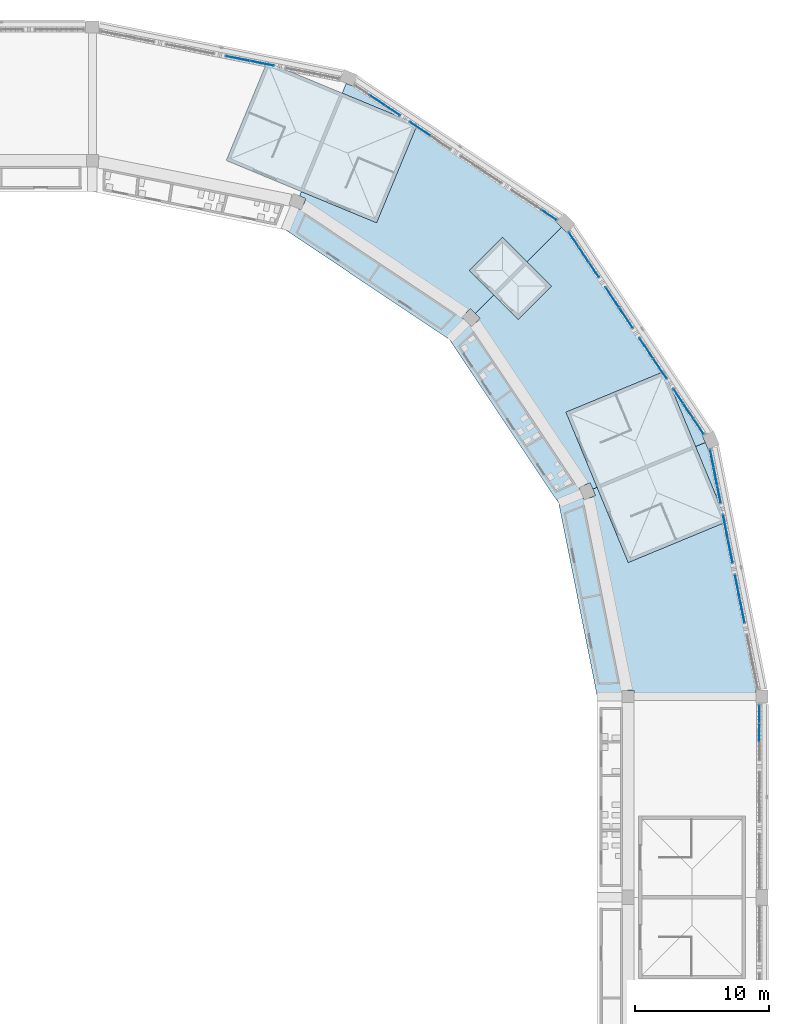
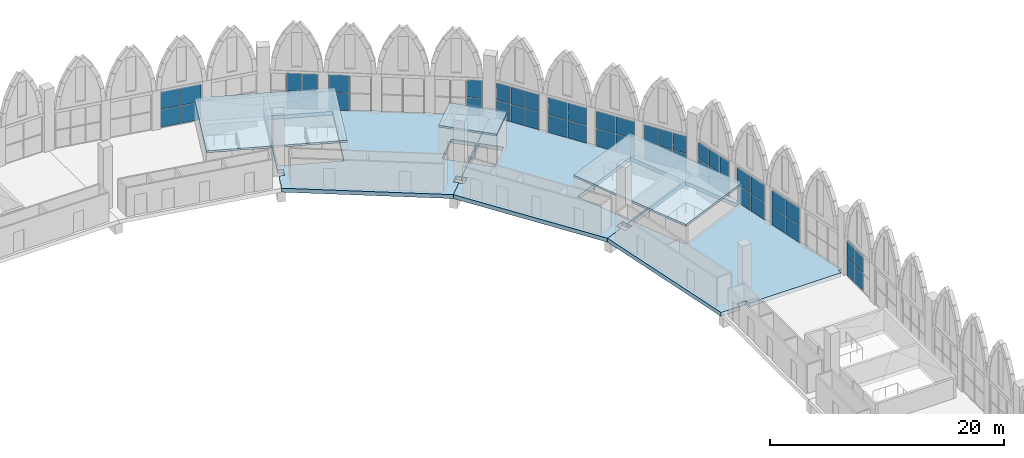
# One storey, part 61 of 130: 50 plates, 6 slabs, 12 elements without a shape of their own.
"""IFC4 building model written with IfcOpenShell, lengths in metres."""

from ifc_helpers import new_model, si_unit, direction, frame, origin, origin_2d, place, context, subcontext, project, spatial, polyline, rectangle, outline, extrude, material, layer, layer_set, type_object, element, aggregate, save


model = new_model("IFC4")

# Units and contexts
model_context = context("Model", 3, precision=1e-05, world=origin(), true_north=direction((0.0, 1.0)))
body_context = subcontext(model_context, "Body", "Model", "MODEL_VIEW")
ifc_project = project(units=[si_unit("LENGTHUNIT", "METRE"), si_unit("AREAUNIT", "SQUARE_METRE"), si_unit("VOLUMEUNIT", "CUBIC_METRE"), si_unit("PLANEANGLEUNIT", "RADIAN"), si_unit("MASSUNIT", "GRAM", prefix="KILO")], contexts=[model_context])

# Site, building, storey
site_placement = place(None, origin())
site = spatial("IfcSite", under=ifc_project, at=site_placement, CompositionType="ELEMENT")
building_placement = place(site_placement, origin())
building = spatial("IfcBuilding", under=site, at=building_placement, Name="Ogive Plaza Stadium", CompositionType="ELEMENT")
storey_placement = place(building_placement, frame((0.0, 0.0, 22.5)))
storey = spatial("IfcBuildingStorey", under=building, at=storey_placement, Name="L05", CompositionType="ELEMENT", Elevation=22.5)

# Slabs
ifc_material_1 = material(Name="Concrete C40/50", Category="concrete")
ifc_layer_1 = layer(ifc_material_1, 0.199951171875)
ifc_layer_set_1 = layer_set([ifc_layer_1], Name="Concrete C40/50")
slab_type_1 = type_object("IfcSlabType", Name="Core roof slab", PredefinedType="ROOF", material=ifc_layer_set_1)
slab_1_placement = place(storey_placement, frame((0.0, 0.0, 2.10009765625)))
element("IfcSlab", 1, at=slab_1_placement, inside=storey, type_object=slab_type_1, Name="Stair core R38 roof", PredefinedType="ROOF", context=body_context, shape_type="SweptSolid", body=[
    extrude(outline(polyline([(55.22607421875, 87.869384765625), (58.272216796875, 95.2236328125), (47.047119140625, 99.873046875), (44.0009765625, 92.51904296875), (55.22607421875, 87.869384765625)])), origin(), (0.0, 0.0, 1.0), 0.199951171875),
])
slab_2_placement = place(storey_placement, frame((0.0, 0.0, 2.10009765625)))
element("IfcSlab", 2, at=slab_2_placement, inside=storey, type_object=slab_type_1, Name="Stair core R40 roof", PredefinedType="ROOF", context=body_context, shape_type="SweptSolid", body=[
    extrude(outline(polyline([(74.01904296875, 62.5009765625), (81.373046875, 65.547119140625), (76.7236328125, 76.772216796875), (69.369384765625, 73.72607421875), (74.01904296875, 62.5009765625)])), origin(), (0.0, 0.0, 1.0), 0.199951171875),
])

# Curtain wall, plates
ifc_material_2 = material(Name="Bronze-anodised aluminium with laminated glass", Category="aluminium")
curtain_wall_type = type_object("IfcCurtainWallType", Name="Lancet curtain wall", PredefinedType="NOTDEFINED", material=ifc_material_2)
curtain_wall_1_placement = place(storey_placement, origin())
curtain_wall_1 = element("IfcCurtainWall", 3, at=curtain_wall_1_placement, inside=storey, type_object=curtain_wall_type, Name="CURTAIN WALL B01 L05", PredefinedType="NOTDEFINED")
ifc_material_3 = material(Name="Laminated glass", Category="glass")
ifc_layer_2 = layer(ifc_material_3, 0.028076171875)
ifc_layer_set_2 = layer_set([ifc_layer_2], Name="Laminated glass panel 28")
plate_type = type_object("IfcPlateType", Name="Laminated glass panel 28", PredefinedType="CURTAIN_PANEL", material=ifc_layer_set_2)
plate_1_placement = place(storey_placement, frame((83.800048828125, 51.1875, 0.0498046875), z_axis=(0.0, 0.0, 1.0), x_axis=(0.0, -1.0, 0.0)))
plate_1 = element("IfcPlate", 4, at=plate_1_placement, type_object=plate_type, Name="CW-B01-L05.1 panel 1.1", PredefinedType="CURTAIN_PANEL", context=body_context, shape_type="SweptSolid", body=[
    extrude(rectangle(XDim=1.324951171875, YDim=0.028076171875, at=origin_2d()), origin(), (0.0, 0.0, 1.0), 1.824951171875),
])
plate_2_placement = place(storey_placement, frame((83.800048828125, 51.1875, 1.9248046875), z_axis=(0.0, 0.0, 1.0), x_axis=(0.0, -1.0, 0.0)))
plate_2 = element("IfcPlate", 5, at=plate_2_placement, type_object=plate_type, Name="CW-B01-L05.1 panel 1.2", PredefinedType="CURTAIN_PANEL", context=body_context, shape_type="SweptSolid", body=[
    extrude(rectangle(XDim=1.324951171875, YDim=0.028076171875, at=origin_2d()), origin(), (0.0, 0.0, 1.0), 1.824951171875),
])
plate_3_placement = place(storey_placement, frame((83.800048828125, 49.800048828125, 0.0498046875), z_axis=(0.0, 0.0, 1.0), x_axis=(0.0, -1.0, 0.0)))
plate_3 = element("IfcPlate", 6, at=plate_3_placement, type_object=plate_type, Name="CW-B01-L05.1 panel 2.1", PredefinedType="CURTAIN_PANEL", context=body_context, shape_type="SweptSolid", body=[
    extrude(rectangle(XDim=1.35009765625, YDim=0.028076171875, at=origin_2d()), origin(), (0.0, 0.0, 1.0), 1.824951171875),
])
plate_4_placement = place(storey_placement, frame((83.800048828125, 49.800048828125, 1.9248046875), z_axis=(0.0, 0.0, 1.0), x_axis=(0.0, -1.0, 0.0)))
plate_4 = element("IfcPlate", 7, at=plate_4_placement, type_object=plate_type, Name="CW-B01-L05.1 panel 2.2", PredefinedType="CURTAIN_PANEL", context=body_context, shape_type="SweptSolid", body=[
    extrude(rectangle(XDim=1.35009765625, YDim=0.028076171875, at=origin_2d()), origin(), (0.0, 0.0, 1.0), 1.824951171875),
])
aggregate(curtain_wall_1, [plate_1, plate_2, plate_3, plate_4])

curtain_wall_2_placement = place(storey_placement, origin())
curtain_wall_2 = element("IfcCurtainWall", 8, at=curtain_wall_2_placement, inside=storey, type_object=curtain_wall_type, Name="CURTAIN WALL B37 L05", PredefinedType="NOTDEFINED")
plate_5_placement = place(storey_placement, frame((44.853759765625, 100.13720703125, 0.0498046875), z_axis=(0.0, 0.0, 1.0), x_axis=(0.980785280376, -0.195090322153, 0.0)))
plate_5 = element("IfcPlate", 9, at=plate_5_placement, type_object=plate_type, Name="CW-B37-L05.3 panel 1.1", PredefinedType="CURTAIN_PANEL", context=body_context, shape_type="SweptSolid", body=[
    extrude(rectangle(XDim=1.803466796875, YDim=0.028076171875, at=origin_2d()), origin(), (0.0, 0.0, 1.0), 1.824951171875),
])
plate_6_placement = place(storey_placement, frame((44.853759765625, 100.13720703125, 1.9248046875), z_axis=(0.0, 0.0, 1.0), x_axis=(0.980785280376, -0.195090322153, 0.0)))
plate_6 = element("IfcPlate", 10, at=plate_6_placement, type_object=plate_type, Name="CW-B37-L05.3 panel 1.2", PredefinedType="CURTAIN_PANEL", context=body_context, shape_type="SweptSolid", body=[
    extrude(rectangle(XDim=1.803466796875, YDim=0.028076171875, at=origin_2d()), origin(), (0.0, 0.0, 1.0), 1.824951171875),
])
plate_7_placement = place(storey_placement, frame((46.671875, 99.775390625, 0.0498046875), z_axis=(0.0, 0.0, 1.0), x_axis=(0.980785280376, -0.195090322153, 0.0)))
plate_7 = element("IfcPlate", 11, at=plate_7_placement, type_object=plate_type, Name="CW-B37-L05.3 panel 2.1", PredefinedType="CURTAIN_PANEL", context=body_context, shape_type="SweptSolid", body=[
    extrude(rectangle(XDim=1.803466796875, YDim=0.028076171875, at=origin_2d()), origin(), (0.0, 0.0, 1.0), 1.824951171875),
])
plate_8_placement = place(storey_placement, frame((46.671875, 99.775390625, 1.9248046875), z_axis=(0.0, 0.0, 1.0), x_axis=(0.980785280376, -0.195090322153, 0.0)))
plate_8 = element("IfcPlate", 12, at=plate_8_placement, type_object=plate_type, Name="CW-B37-L05.3 panel 2.2", PredefinedType="CURTAIN_PANEL", context=body_context, shape_type="SweptSolid", body=[
    extrude(rectangle(XDim=1.803466796875, YDim=0.028076171875, at=origin_2d()), origin(), (0.0, 0.0, 1.0), 1.824951171875),
])
aggregate(curtain_wall_2, [plate_5, plate_6, plate_7, plate_8])

curtain_wall_3_placement = place(storey_placement, origin())
curtain_wall_3 = element("IfcCurtainWall", 13, at=curtain_wall_3_placement, inside=storey, type_object=curtain_wall_type, Name="CURTAIN WALL B38 L05", PredefinedType="NOTDEFINED")
plate_9_placement = place(storey_placement, frame((55.28369140625, 97.01708984375, 0.0498046875), z_axis=(0.0, 0.0, 1.0), x_axis=(0.83146961239, -0.555570232889, 0.0)))
plate_9 = element("IfcPlate", 14, at=plate_9_placement, type_object=plate_type, Name="CW-B38-L05.1 panel 2.1", PredefinedType="CURTAIN_PANEL", context=body_context, shape_type="SweptSolid", body=[
    extrude(rectangle(XDim=1.335693359375, YDim=0.028076171875, at=origin_2d()), origin(), (0.0, 0.0, 1.0), 1.824951171875),
])
plate_10_placement = place(storey_placement, frame((55.28369140625, 97.01708984375, 1.9248046875), z_axis=(0.0, 0.0, 1.0), x_axis=(0.83146961239, -0.555570232889, 0.0)))
plate_10 = element("IfcPlate", 15, at=plate_10_placement, type_object=plate_type, Name="CW-B38-L05.1 panel 2.2", PredefinedType="CURTAIN_PANEL", context=body_context, shape_type="SweptSolid", body=[
    extrude(rectangle(XDim=1.335693359375, YDim=0.028076171875, at=origin_2d()), origin(), (0.0, 0.0, 1.0), 1.824951171875),
])
plate_11_placement = place(storey_placement, frame((56.425537109375, 96.254150390625, 0.0498046875), z_axis=(0.0, 0.0, 1.0), x_axis=(0.83146961239, -0.555570232889, 0.0)))
plate_11 = element("IfcPlate", 16, at=plate_11_placement, type_object=plate_type, Name="CW-B38-L05.1 panel 3.1", PredefinedType="CURTAIN_PANEL", context=body_context, shape_type="SweptSolid", body=[
    extrude(rectangle(XDim=1.310791015625, YDim=0.028076171875, at=origin_2d()), origin(), (0.0, 0.0, 1.0), 1.824951171875),
])
plate_12_placement = place(storey_placement, frame((56.425537109375, 96.254150390625, 1.9248046875), z_axis=(0.0, 0.0, 1.0), x_axis=(0.83146961239, -0.555570232889, 0.0)))
plate_12 = element("IfcPlate", 17, at=plate_12_placement, type_object=plate_type, Name="CW-B38-L05.1 panel 3.2", PredefinedType="CURTAIN_PANEL", context=body_context, shape_type="SweptSolid", body=[
    extrude(rectangle(XDim=1.310791015625, YDim=0.028076171875, at=origin_2d()), origin(), (0.0, 0.0, 1.0), 1.824951171875),
])
aggregate(curtain_wall_3, [plate_9, plate_10, plate_11, plate_12])

curtain_wall_4_placement = place(storey_placement, origin())
curtain_wall_4 = element("IfcCurtainWall", 18, at=curtain_wall_4_placement, inside=storey, type_object=curtain_wall_type, Name="CURTAIN WALL B38 L05", PredefinedType="NOTDEFINED")
plate_13_placement = place(storey_placement, frame((58.468505859375, 94.88916015625, 0.0498046875), z_axis=(0.0, 0.0, 1.0), x_axis=(0.831469612157, -0.555570233237, 0.0)))
plate_13 = element("IfcPlate", 19, at=plate_13_placement, type_object=plate_type, Name="CW-B38-L05.2 panel 1.1", PredefinedType="CURTAIN_PANEL", context=body_context, shape_type="SweptSolid", body=[
    extrude(rectangle(XDim=1.803466796875, YDim=0.028076171875, at=origin_2d()), origin(), (0.0, 0.0, 1.0), 1.824951171875),
])
plate_14_placement = place(storey_placement, frame((58.468505859375, 94.88916015625, 1.9248046875), z_axis=(0.0, 0.0, 1.0), x_axis=(0.831469612157, -0.555570233237, 0.0)))
plate_14 = element("IfcPlate", 20, at=plate_14_placement, type_object=plate_type, Name="CW-B38-L05.2 panel 1.2", PredefinedType="CURTAIN_PANEL", context=body_context, shape_type="SweptSolid", body=[
    extrude(rectangle(XDim=1.803466796875, YDim=0.028076171875, at=origin_2d()), origin(), (0.0, 0.0, 1.0), 1.824951171875),
])
aggregate(curtain_wall_4, [plate_13, plate_14])

curtain_wall_5_placement = place(storey_placement, origin())
curtain_wall_5 = element("IfcCurtainWall", 21, at=curtain_wall_5_placement, inside=storey, type_object=curtain_wall_type, Name="CURTAIN WALL B38 L05", PredefinedType="NOTDEFINED")
plate_15_placement = place(storey_placement, frame((68.125244140625, 88.436767578125, 0.0498046875), z_axis=(0.0, 0.0, 1.0), x_axis=(0.831469612312, -0.555570233005, 0.0)))
plate_15 = element("IfcPlate", 22, at=plate_15_placement, type_object=plate_type, Name="CW-B38-L05.4 panel 3.1", PredefinedType="CURTAIN_PANEL", context=body_context, shape_type="SweptSolid", body=[
    extrude(rectangle(XDim=1.310791015625, YDim=0.028076171875, at=origin_2d()), origin(), (0.0, 0.0, 1.0), 1.824951171875),
])
plate_16_placement = place(storey_placement, frame((68.125244140625, 88.436767578125, 1.9248046875), z_axis=(0.0, 0.0, 1.0), x_axis=(0.831469612312, -0.555570233005, 0.0)))
plate_16 = element("IfcPlate", 23, at=plate_16_placement, type_object=plate_type, Name="CW-B38-L05.4 panel 3.2", PredefinedType="CURTAIN_PANEL", context=body_context, shape_type="SweptSolid", body=[
    extrude(rectangle(XDim=1.310791015625, YDim=0.028076171875, at=origin_2d()), origin(), (0.0, 0.0, 1.0), 1.824951171875),
])
aggregate(curtain_wall_5, [plate_15, plate_16])

curtain_wall_6_placement = place(storey_placement, origin())
curtain_wall_6 = element("IfcCurtainWall", 24, at=curtain_wall_6_placement, inside=storey, type_object=curtain_wall_type, Name="CURTAIN WALL B39 L05", PredefinedType="NOTDEFINED")
plate_17_placement = place(storey_placement, frame((69.936767578125, 86.625244140625, 0.0498046875), z_axis=(0.0, 0.0, 1.0), x_axis=(0.555570233005, -0.831469612312, 0.0)))
plate_17 = element("IfcPlate", 25, at=plate_17_placement, type_object=plate_type, Name="CW-B39-L05.1 panel 1.1", PredefinedType="CURTAIN_PANEL", context=body_context, shape_type="SweptSolid", body=[
    extrude(rectangle(XDim=1.310791015625, YDim=0.028076171875, at=origin_2d()), origin(), (0.0, 0.0, 1.0), 1.824951171875),
])
plate_18_placement = place(storey_placement, frame((69.936767578125, 86.625244140625, 1.9248046875), z_axis=(0.0, 0.0, 1.0), x_axis=(0.555570233005, -0.831469612312, 0.0)))
plate_18 = element("IfcPlate", 26, at=plate_18_placement, type_object=plate_type, Name="CW-B39-L05.1 panel 1.2", PredefinedType="CURTAIN_PANEL", context=body_context, shape_type="SweptSolid", body=[
    extrude(rectangle(XDim=1.310791015625, YDim=0.028076171875, at=origin_2d()), origin(), (0.0, 0.0, 1.0), 1.824951171875),
])
plate_19_placement = place(storey_placement, frame((70.699462890625, 85.483642578125, 0.0498046875), z_axis=(0.0, 0.0, 1.0), x_axis=(0.555570233005, -0.831469612312, 0.0)))
plate_19 = element("IfcPlate", 27, at=plate_19_placement, type_object=plate_type, Name="CW-B39-L05.1 panel 2.1", PredefinedType="CURTAIN_PANEL", context=body_context, shape_type="SweptSolid", body=[
    extrude(rectangle(XDim=1.335693359375, YDim=0.028076171875, at=origin_2d()), origin(), (0.0, 0.0, 1.0), 1.824951171875),
])
plate_20_placement = place(storey_placement, frame((70.699462890625, 85.483642578125, 1.9248046875), z_axis=(0.0, 0.0, 1.0), x_axis=(0.555570233005, -0.831469612312, 0.0)))
plate_20 = element("IfcPlate", 28, at=plate_20_placement, type_object=plate_type, Name="CW-B39-L05.1 panel 2.2", PredefinedType="CURTAIN_PANEL", context=body_context, shape_type="SweptSolid", body=[
    extrude(rectangle(XDim=1.335693359375, YDim=0.028076171875, at=origin_2d()), origin(), (0.0, 0.0, 1.0), 1.824951171875),
])
plate_21_placement = place(storey_placement, frame((71.46240234375, 84.341796875, 0.0498046875), z_axis=(0.0, 0.0, 1.0), x_axis=(0.555570233005, -0.831469612312, 0.0)))
plate_21 = element("IfcPlate", 29, at=plate_21_placement, type_object=plate_type, Name="CW-B39-L05.1 panel 3.1", PredefinedType="CURTAIN_PANEL", context=body_context, shape_type="SweptSolid", body=[
    extrude(rectangle(XDim=1.310791015625, YDim=0.028076171875, at=origin_2d()), origin(), (0.0, 0.0, 1.0), 1.824951171875),
])
plate_22_placement = place(storey_placement, frame((71.46240234375, 84.341796875, 1.9248046875), z_axis=(0.0, 0.0, 1.0), x_axis=(0.555570233005, -0.831469612312, 0.0)))
plate_22 = element("IfcPlate", 30, at=plate_22_placement, type_object=plate_type, Name="CW-B39-L05.1 panel 3.2", PredefinedType="CURTAIN_PANEL", context=body_context, shape_type="SweptSolid", body=[
    extrude(rectangle(XDim=1.310791015625, YDim=0.028076171875, at=origin_2d()), origin(), (0.0, 0.0, 1.0), 1.824951171875),
])
aggregate(curtain_wall_6, [plate_17, plate_18, plate_19, plate_20, plate_21, plate_22])

curtain_wall_7_placement = place(storey_placement, origin())
curtain_wall_7 = element("IfcCurtainWall", 31, at=curtain_wall_7_placement, inside=storey, type_object=curtain_wall_type, Name="CURTAIN WALL B39 L05", PredefinedType="NOTDEFINED")
plate_23_placement = place(storey_placement, frame((72.82763671875, 82.298828125, 0.0498046875), z_axis=(0.0, 0.0, 1.0), x_axis=(0.555570233121, -0.831469612235, 0.0)))
plate_23 = element("IfcPlate", 32, at=plate_23_placement, type_object=plate_type, Name="CW-B39-L05.2 panel 1.1", PredefinedType="CURTAIN_PANEL", context=body_context, shape_type="SweptSolid", body=[
    extrude(rectangle(XDim=1.803466796875, YDim=0.028076171875, at=origin_2d()), origin(), (0.0, 0.0, 1.0), 1.824951171875),
])
plate_24_placement = place(storey_placement, frame((72.82763671875, 82.298828125, 1.9248046875), z_axis=(0.0, 0.0, 1.0), x_axis=(0.555570233121, -0.831469612235, 0.0)))
plate_24 = element("IfcPlate", 33, at=plate_24_placement, type_object=plate_type, Name="CW-B39-L05.2 panel 1.2", PredefinedType="CURTAIN_PANEL", context=body_context, shape_type="SweptSolid", body=[
    extrude(rectangle(XDim=1.803466796875, YDim=0.028076171875, at=origin_2d()), origin(), (0.0, 0.0, 1.0), 1.824951171875),
])
plate_25_placement = place(storey_placement, frame((73.857421875, 80.757568359375, 0.0498046875), z_axis=(0.0, 0.0, 1.0), x_axis=(0.555570233121, -0.831469612235, 0.0)))
plate_25 = element("IfcPlate", 34, at=plate_25_placement, type_object=plate_type, Name="CW-B39-L05.2 panel 2.1", PredefinedType="CURTAIN_PANEL", context=body_context, shape_type="SweptSolid", body=[
    extrude(rectangle(XDim=1.803466796875, YDim=0.028076171875, at=origin_2d()), origin(), (0.0, 0.0, 1.0), 1.824951171875),
])
plate_26_placement = place(storey_placement, frame((73.857421875, 80.757568359375, 1.9248046875), z_axis=(0.0, 0.0, 1.0), x_axis=(0.555570233121, -0.831469612235, 0.0)))
plate_26 = element("IfcPlate", 35, at=plate_26_placement, type_object=plate_type, Name="CW-B39-L05.2 panel 2.2", PredefinedType="CURTAIN_PANEL", context=body_context, shape_type="SweptSolid", body=[
    extrude(rectangle(XDim=1.803466796875, YDim=0.028076171875, at=origin_2d()), origin(), (0.0, 0.0, 1.0), 1.824951171875),
])
aggregate(curtain_wall_7, [plate_23, plate_24, plate_25, plate_26])

curtain_wall_8_placement = place(storey_placement, origin())
curtain_wall_8 = element("IfcCurtainWall", 36, at=curtain_wall_8_placement, inside=storey, type_object=curtain_wall_type, Name="CURTAIN WALL B39 L05", PredefinedType="NOTDEFINED")
plate_27_placement = place(storey_placement, frame((75.359375, 78.509765625, 0.0498046875), z_axis=(0.0, 0.0, 1.0), x_axis=(0.555570233237, -0.831469612157, 0.0)))
plate_27 = element("IfcPlate", 37, at=plate_27_placement, type_object=plate_type, Name="CW-B39-L05.3 panel 1.1", PredefinedType="CURTAIN_PANEL", context=body_context, shape_type="SweptSolid", body=[
    extrude(rectangle(XDim=1.803466796875, YDim=0.028076171875, at=origin_2d()), origin(), (0.0, 0.0, 1.0), 1.824951171875),
])
plate_28_placement = place(storey_placement, frame((75.359375, 78.509765625, 1.9248046875), z_axis=(0.0, 0.0, 1.0), x_axis=(0.555570233237, -0.831469612157, 0.0)))
plate_28 = element("IfcPlate", 38, at=plate_28_placement, type_object=plate_type, Name="CW-B39-L05.3 panel 1.2", PredefinedType="CURTAIN_PANEL", context=body_context, shape_type="SweptSolid", body=[
    extrude(rectangle(XDim=1.803466796875, YDim=0.028076171875, at=origin_2d()), origin(), (0.0, 0.0, 1.0), 1.824951171875),
])
plate_29_placement = place(storey_placement, frame((76.38916015625, 76.968505859375, 0.0498046875), z_axis=(0.0, 0.0, 1.0), x_axis=(0.555570233237, -0.831469612157, 0.0)))
plate_29 = element("IfcPlate", 39, at=plate_29_placement, type_object=plate_type, Name="CW-B39-L05.3 panel 2.1", PredefinedType="CURTAIN_PANEL", context=body_context, shape_type="SweptSolid", body=[
    extrude(rectangle(XDim=1.803466796875, YDim=0.028076171875, at=origin_2d()), origin(), (0.0, 0.0, 1.0), 1.824951171875),
])
plate_30_placement = place(storey_placement, frame((76.38916015625, 76.968505859375, 1.9248046875), z_axis=(0.0, 0.0, 1.0), x_axis=(0.555570233237, -0.831469612157, 0.0)))
plate_30 = element("IfcPlate", 40, at=plate_30_placement, type_object=plate_type, Name="CW-B39-L05.3 panel 2.2", PredefinedType="CURTAIN_PANEL", context=body_context, shape_type="SweptSolid", body=[
    extrude(rectangle(XDim=1.803466796875, YDim=0.028076171875, at=origin_2d()), origin(), (0.0, 0.0, 1.0), 1.824951171875),
])
aggregate(curtain_wall_8, [plate_27, plate_28, plate_29, plate_30])

curtain_wall_9_placement = place(storey_placement, origin())
curtain_wall_9 = element("IfcCurtainWall", 41, at=curtain_wall_9_placement, inside=storey, type_object=curtain_wall_type, Name="CURTAIN WALL B39 L05", PredefinedType="NOTDEFINED")
plate_31_placement = place(storey_placement, frame((77.754150390625, 74.925537109375, 0.0498046875), z_axis=(0.0, 0.0, 1.0), x_axis=(0.555570232889, -0.83146961239, 0.0)))
plate_31 = element("IfcPlate", 42, at=plate_31_placement, type_object=plate_type, Name="CW-B39-L05.4 panel 1.1", PredefinedType="CURTAIN_PANEL", context=body_context, shape_type="SweptSolid", body=[
    extrude(rectangle(XDim=1.310791015625, YDim=0.028076171875, at=origin_2d()), origin(), (0.0, 0.0, 1.0), 1.824951171875),
])
plate_32_placement = place(storey_placement, frame((77.754150390625, 74.925537109375, 1.9248046875), z_axis=(0.0, 0.0, 1.0), x_axis=(0.555570232889, -0.83146961239, 0.0)))
plate_32 = element("IfcPlate", 43, at=plate_32_placement, type_object=plate_type, Name="CW-B39-L05.4 panel 1.2", PredefinedType="CURTAIN_PANEL", context=body_context, shape_type="SweptSolid", body=[
    extrude(rectangle(XDim=1.310791015625, YDim=0.028076171875, at=origin_2d()), origin(), (0.0, 0.0, 1.0), 1.824951171875),
])
plate_33_placement = place(storey_placement, frame((78.51708984375, 73.78369140625, 0.0498046875), z_axis=(0.0, 0.0, 1.0), x_axis=(0.555570232889, -0.83146961239, 0.0)))
plate_33 = element("IfcPlate", 44, at=plate_33_placement, type_object=plate_type, Name="CW-B39-L05.4 panel 2.1", PredefinedType="CURTAIN_PANEL", context=body_context, shape_type="SweptSolid", body=[
    extrude(rectangle(XDim=1.335693359375, YDim=0.028076171875, at=origin_2d()), origin(), (0.0, 0.0, 1.0), 1.824951171875),
])
plate_34_placement = place(storey_placement, frame((78.51708984375, 73.78369140625, 1.9248046875), z_axis=(0.0, 0.0, 1.0), x_axis=(0.555570232889, -0.83146961239, 0.0)))
plate_34 = element("IfcPlate", 45, at=plate_34_placement, type_object=plate_type, Name="CW-B39-L05.4 panel 2.2", PredefinedType="CURTAIN_PANEL", context=body_context, shape_type="SweptSolid", body=[
    extrude(rectangle(XDim=1.335693359375, YDim=0.028076171875, at=origin_2d()), origin(), (0.0, 0.0, 1.0), 1.824951171875),
])
plate_35_placement = place(storey_placement, frame((79.280029296875, 72.641845703125, 0.0498046875), z_axis=(0.0, 0.0, 1.0), x_axis=(0.555570232889, -0.83146961239, 0.0)))
plate_35 = element("IfcPlate", 46, at=plate_35_placement, type_object=plate_type, Name="CW-B39-L05.4 panel 3.1", PredefinedType="CURTAIN_PANEL", context=body_context, shape_type="SweptSolid", body=[
    extrude(rectangle(XDim=1.310791015625, YDim=0.028076171875, at=origin_2d()), origin(), (0.0, 0.0, 1.0), 1.824951171875),
])
plate_36_placement = place(storey_placement, frame((79.280029296875, 72.641845703125, 1.9248046875), z_axis=(0.0, 0.0, 1.0), x_axis=(0.555570232889, -0.83146961239, 0.0)))
plate_36 = element("IfcPlate", 47, at=plate_36_placement, type_object=plate_type, Name="CW-B39-L05.4 panel 3.2", PredefinedType="CURTAIN_PANEL", context=body_context, shape_type="SweptSolid", body=[
    extrude(rectangle(XDim=1.310791015625, YDim=0.028076171875, at=origin_2d()), origin(), (0.0, 0.0, 1.0), 1.824951171875),
])
aggregate(curtain_wall_9, [plate_31, plate_32, plate_33, plate_34, plate_35, plate_36])

curtain_wall_10_placement = place(storey_placement, origin())
curtain_wall_10 = element("IfcCurtainWall", 48, at=curtain_wall_10_placement, inside=storey, type_object=curtain_wall_type, Name="CURTAIN WALL B40 L05", PredefinedType="NOTDEFINED")
plate_37_placement = place(storey_placement, frame((80.26025390625, 70.275390625, 0.0498046875), z_axis=(0.0, 0.0, 1.0), x_axis=(0.195090321965, -0.980785280413, 0.0)))
plate_37 = element("IfcPlate", 49, at=plate_37_placement, type_object=plate_type, Name="CW-B40-L05.1 panel 1.1", PredefinedType="CURTAIN_PANEL", context=body_context, shape_type="SweptSolid", body=[
    extrude(rectangle(XDim=1.310791015625, YDim=0.028076171875, at=origin_2d()), origin(), (0.0, 0.0, 1.0), 1.824951171875),
])
plate_38_placement = place(storey_placement, frame((80.26025390625, 70.275390625, 1.9248046875), z_axis=(0.0, 0.0, 1.0), x_axis=(0.195090321965, -0.980785280413, 0.0)))
plate_38 = element("IfcPlate", 50, at=plate_38_placement, type_object=plate_type, Name="CW-B40-L05.1 panel 1.2", PredefinedType="CURTAIN_PANEL", context=body_context, shape_type="SweptSolid", body=[
    extrude(rectangle(XDim=1.310791015625, YDim=0.028076171875, at=origin_2d()), origin(), (0.0, 0.0, 1.0), 1.824951171875),
])
plate_39_placement = place(storey_placement, frame((80.5283203125, 68.928466796875, 0.0498046875), z_axis=(0.0, 0.0, 1.0), x_axis=(0.195090321965, -0.980785280413, 0.0)))
plate_39 = element("IfcPlate", 51, at=plate_39_placement, type_object=plate_type, Name="CW-B40-L05.1 panel 2.1", PredefinedType="CURTAIN_PANEL", context=body_context, shape_type="SweptSolid", body=[
    extrude(rectangle(XDim=1.335693359375, YDim=0.028076171875, at=origin_2d()), origin(), (0.0, 0.0, 1.0), 1.824951171875),
])
plate_40_placement = place(storey_placement, frame((80.5283203125, 68.928466796875, 1.9248046875), z_axis=(0.0, 0.0, 1.0), x_axis=(0.195090321965, -0.980785280413, 0.0)))
plate_40 = element("IfcPlate", 52, at=plate_40_placement, type_object=plate_type, Name="CW-B40-L05.1 panel 2.2", PredefinedType="CURTAIN_PANEL", context=body_context, shape_type="SweptSolid", body=[
    extrude(rectangle(XDim=1.335693359375, YDim=0.028076171875, at=origin_2d()), origin(), (0.0, 0.0, 1.0), 1.824951171875),
])
plate_41_placement = place(storey_placement, frame((80.796142578125, 67.581787109375, 0.0498046875), z_axis=(0.0, 0.0, 1.0), x_axis=(0.195090321965, -0.980785280413, 0.0)))
plate_41 = element("IfcPlate", 53, at=plate_41_placement, type_object=plate_type, Name="CW-B40-L05.1 panel 3.1", PredefinedType="CURTAIN_PANEL", context=body_context, shape_type="SweptSolid", body=[
    extrude(rectangle(XDim=1.310791015625, YDim=0.028076171875, at=origin_2d()), origin(), (0.0, 0.0, 1.0), 1.824951171875),
])
plate_42_placement = place(storey_placement, frame((80.796142578125, 67.581787109375, 1.9248046875), z_axis=(0.0, 0.0, 1.0), x_axis=(0.195090321965, -0.980785280413, 0.0)))
plate_42 = element("IfcPlate", 54, at=plate_42_placement, type_object=plate_type, Name="CW-B40-L05.1 panel 3.2", PredefinedType="CURTAIN_PANEL", context=body_context, shape_type="SweptSolid", body=[
    extrude(rectangle(XDim=1.310791015625, YDim=0.028076171875, at=origin_2d()), origin(), (0.0, 0.0, 1.0), 1.824951171875),
])
aggregate(curtain_wall_10, [plate_37, plate_38, plate_39, plate_40, plate_41, plate_42])

curtain_wall_11_placement = place(storey_placement, origin())
curtain_wall_11 = element("IfcCurtainWall", 55, at=curtain_wall_11_placement, inside=storey, type_object=curtain_wall_type, Name="CURTAIN WALL B40 L05", PredefinedType="NOTDEFINED")
plate_43_placement = place(storey_placement, frame((81.275390625, 65.171875, 0.0498046875), z_axis=(0.0, 0.0, 1.0), x_axis=(0.195090322153, -0.980785280376, 0.0)))
plate_43 = element("IfcPlate", 56, at=plate_43_placement, type_object=plate_type, Name="CW-B40-L05.2 panel 1.1", PredefinedType="CURTAIN_PANEL", context=body_context, shape_type="SweptSolid", body=[
    extrude(rectangle(XDim=1.803466796875, YDim=0.028076171875, at=origin_2d()), origin(), (0.0, 0.0, 1.0), 1.824951171875),
])
plate_44_placement = place(storey_placement, frame((81.275390625, 65.171875, 1.9248046875), z_axis=(0.0, 0.0, 1.0), x_axis=(0.195090322153, -0.980785280376, 0.0)))
plate_44 = element("IfcPlate", 57, at=plate_44_placement, type_object=plate_type, Name="CW-B40-L05.2 panel 1.2", PredefinedType="CURTAIN_PANEL", context=body_context, shape_type="SweptSolid", body=[
    extrude(rectangle(XDim=1.803466796875, YDim=0.028076171875, at=origin_2d()), origin(), (0.0, 0.0, 1.0), 1.824951171875),
])
plate_45_placement = place(storey_placement, frame((81.63720703125, 63.353759765625, 0.0498046875), z_axis=(0.0, 0.0, 1.0), x_axis=(0.195090322153, -0.980785280376, 0.0)))
plate_45 = element("IfcPlate", 58, at=plate_45_placement, type_object=plate_type, Name="CW-B40-L05.2 panel 2.1", PredefinedType="CURTAIN_PANEL", context=body_context, shape_type="SweptSolid", body=[
    extrude(rectangle(XDim=1.803466796875, YDim=0.028076171875, at=origin_2d()), origin(), (0.0, 0.0, 1.0), 1.824951171875),
])
plate_46_placement = place(storey_placement, frame((81.63720703125, 63.353759765625, 1.9248046875), z_axis=(0.0, 0.0, 1.0), x_axis=(0.195090322153, -0.980785280376, 0.0)))
plate_46 = element("IfcPlate", 59, at=plate_46_placement, type_object=plate_type, Name="CW-B40-L05.2 panel 2.2", PredefinedType="CURTAIN_PANEL", context=body_context, shape_type="SweptSolid", body=[
    extrude(rectangle(XDim=1.803466796875, YDim=0.028076171875, at=origin_2d()), origin(), (0.0, 0.0, 1.0), 1.824951171875),
])
aggregate(curtain_wall_11, [plate_43, plate_44, plate_45, plate_46])

curtain_wall_12_placement = place(storey_placement, origin())
curtain_wall_12 = element("IfcCurtainWall", 60, at=curtain_wall_12_placement, inside=storey, type_object=curtain_wall_type, Name="CURTAIN WALL B40 L05", PredefinedType="NOTDEFINED")
plate_47_placement = place(storey_placement, frame((82.16455078125, 60.7021484375, 0.0498046875), z_axis=(0.0, 0.0, 1.0), x_axis=(0.195090321896, -0.980785280427, 0.0)))
plate_47 = element("IfcPlate", 61, at=plate_47_placement, type_object=plate_type, Name="CW-B40-L05.3 panel 1.1", PredefinedType="CURTAIN_PANEL", context=body_context, shape_type="SweptSolid", body=[
    extrude(rectangle(XDim=1.803466796875, YDim=0.028076171875, at=origin_2d()), origin(), (0.0, 0.0, 1.0), 1.824951171875),
])
plate_48_placement = place(storey_placement, frame((82.16455078125, 60.7021484375, 1.9248046875), z_axis=(0.0, 0.0, 1.0), x_axis=(0.195090321896, -0.980785280427, 0.0)))
plate_48 = element("IfcPlate", 62, at=plate_48_placement, type_object=plate_type, Name="CW-B40-L05.3 panel 1.2", PredefinedType="CURTAIN_PANEL", context=body_context, shape_type="SweptSolid", body=[
    extrude(rectangle(XDim=1.803466796875, YDim=0.028076171875, at=origin_2d()), origin(), (0.0, 0.0, 1.0), 1.824951171875),
])
plate_49_placement = place(storey_placement, frame((82.526123046875, 58.88427734375, 0.0498046875), z_axis=(0.0, 0.0, 1.0), x_axis=(0.195090321896, -0.980785280427, 0.0)))
plate_49 = element("IfcPlate", 63, at=plate_49_placement, type_object=plate_type, Name="CW-B40-L05.3 panel 2.1", PredefinedType="CURTAIN_PANEL", context=body_context, shape_type="SweptSolid", body=[
    extrude(rectangle(XDim=1.803466796875, YDim=0.028076171875, at=origin_2d()), origin(), (0.0, 0.0, 1.0), 1.824951171875),
])
plate_50_placement = place(storey_placement, frame((82.526123046875, 58.88427734375, 1.9248046875), z_axis=(0.0, 0.0, 1.0), x_axis=(0.195090321896, -0.980785280427, 0.0)))
plate_50 = element("IfcPlate", 64, at=plate_50_placement, type_object=plate_type, Name="CW-B40-L05.3 panel 2.2", PredefinedType="CURTAIN_PANEL", context=body_context, shape_type="SweptSolid", body=[
    extrude(rectangle(XDim=1.803466796875, YDim=0.028076171875, at=origin_2d()), origin(), (0.0, 0.0, 1.0), 1.824951171875),
])
aggregate(curtain_wall_12, [plate_47, plate_48, plate_49, plate_50])

# Slabs
ifc_material_4 = material(Name="Concrete C40/50", Category="concrete")
ifc_layer_3 = layer(ifc_material_4, 0.199951171875)
ifc_layer_set_3 = layer_set([ifc_layer_3], Name="Concrete C40/50")
slab_type_2 = type_object("IfcSlabType", Name="Lift overrun roof slab", PredefinedType="ROOF", material=ifc_layer_set_3)
slab_3_placement = place(storey_placement, frame((0.0, 0.0, 3.39990234375)))
element("IfcSlab", 65, at=slab_3_placement, inside=storey, type_object=slab_type_2, Name="Lift core LP39 roof", PredefinedType="ROOF", context=body_context, shape_type="SweptSolid", body=[
    extrude(outline(polyline([(65.80224609375, 80.66064453125), (68.277099609375, 83.135498046875), (64.635498046875, 86.777099609375), (62.16064453125, 84.30224609375), (65.80224609375, 80.66064453125)])), origin(), (0.0, 0.0, 1.0), 0.2001953125),
])
ifc_material_5 = material(Name="Concrete C40/50", Category="concrete")
ifc_layer_4 = layer(ifc_material_5, 0.409912109375)
ifc_layer_set_4 = layer_set([ifc_layer_4], Name="Concrete C40/50")
slab_type_3 = type_object("IfcSlabType", Name="RC floor slab 410", PredefinedType="FLOOR", material=ifc_layer_set_4)
slab_4_placement = place(storey_placement, frame((0.0, 0.0, -0.409912109375)))
element("IfcSlab", 66, at=slab_4_placement, inside=storey, type_object=slab_type_3, Name="Floor slab L05 B38", PredefinedType="FLOOR", context=body_context, shape_type="SweptSolid", body=[
    extrude(outline(polyline([(61.966064453125, 80.466064453125), (61.612548828125, 80.819580078125), (62.2490234375, 81.4560546875), (62.6025390625, 81.1025390625), (69.037109375, 87.537109375), (68.648193359375, 87.926025390625), (68.88916015625, 88.1669921875), (53.600341796875, 98.38232421875), (53.47021484375, 98.06787109375), (52.9619140625, 98.2783203125), (49.4794921875, 89.870849609375), (49.94140625, 89.6796875), (49.59716796875, 88.84814453125), (49.135009765625, 89.03955078125), (48.42724609375, 87.330322265625), (60.657958984375, 79.157958984375), (61.966064453125, 80.466064453125)]), holes=[polyline([(49.82470703125, 90.37744140625), (55.0908203125, 88.196044921875), (57.945556640625, 95.08837890625), (52.679443359375, 97.26953125), (49.82470703125, 90.37744140625)]), polyline([(62.51416015625, 84.30224609375), (64.06982421875, 82.74658203125), (66.19091796875, 84.867919921875), (64.635498046875, 86.42333984375), (62.51416015625, 84.30224609375)])]), origin(), (0.0, 0.0, 1.0), 0.409912109375),
])
slab_5_placement = place(storey_placement, frame((0.0, 0.0, -0.409912109375)))
element("IfcSlab", 67, at=slab_5_placement, inside=storey, type_object=slab_type_3, Name="Floor slab L05 B39", PredefinedType="FLOOR", context=body_context, shape_type="SweptSolid", body=[
    extrude(outline(polyline([(70.53955078125, 67.635009765625), (70.34814453125, 68.09716796875), (71.1796875, 68.44140625), (71.370849609375, 67.9794921875), (79.7783203125, 71.4619140625), (79.56787109375, 71.97021484375), (79.88232421875, 72.100341796875), (69.6669921875, 87.38916015625), (69.426025390625, 87.148193359375), (69.037109375, 87.537109375), (62.6025390625, 81.1025390625), (62.9560546875, 80.7490234375), (62.319580078125, 80.112548828125), (61.966064453125, 80.466064453125), (60.657958984375, 79.157958984375), (68.830322265625, 66.92724609375), (70.53955078125, 67.635009765625)]), holes=[polyline([(69.696044921875, 73.5908203125), (71.87744140625, 68.32470703125), (78.76953125, 71.179443359375), (76.58837890625, 76.445556640625), (69.696044921875, 73.5908203125)]), polyline([(64.24658203125, 82.56982421875), (65.80224609375, 81.01416015625), (67.92333984375, 83.135498046875), (66.367919921875, 84.69091796875), (64.24658203125, 82.56982421875)])]), origin(), (0.0, 0.0, 1.0), 0.409912109375),
])
slab_6_placement = place(storey_placement, frame((0.0, 0.0, -0.409912109375)))
element("IfcSlab", 68, at=slab_6_placement, inside=storey, type_object=slab_type_3, Name="Floor slab L05 B40", PredefinedType="FLOOR", context=body_context, shape_type="SweptSolid", body=[
    extrude(outline(polyline([(73.550048828125, 52.5), (73.550048828125, 52.949951171875), (74.449951171875, 52.949951171875), (74.449951171875, 52.5), (83.550048828125, 52.5), (83.550048828125, 53.0), (83.900634765625, 53.0), (80.303466796875, 71.084228515625), (79.98876953125, 70.953857421875), (79.7783203125, 71.4619140625), (71.370849609375, 67.9794921875), (71.562255859375, 67.517578125), (70.730712890625, 67.173095703125), (70.53955078125, 67.635009765625), (68.830322265625, 66.92724609375), (71.699951171875, 52.5), (73.550048828125, 52.5)]), holes=[polyline([(71.97314453125, 68.09375), (74.154296875, 62.82763671875), (81.046630859375, 65.682373046875), (78.865234375, 70.948486328125), (71.97314453125, 68.09375)])]), origin(), (0.0, 0.0, 1.0), 0.409912109375),
])

save(model, "model.ifc")
